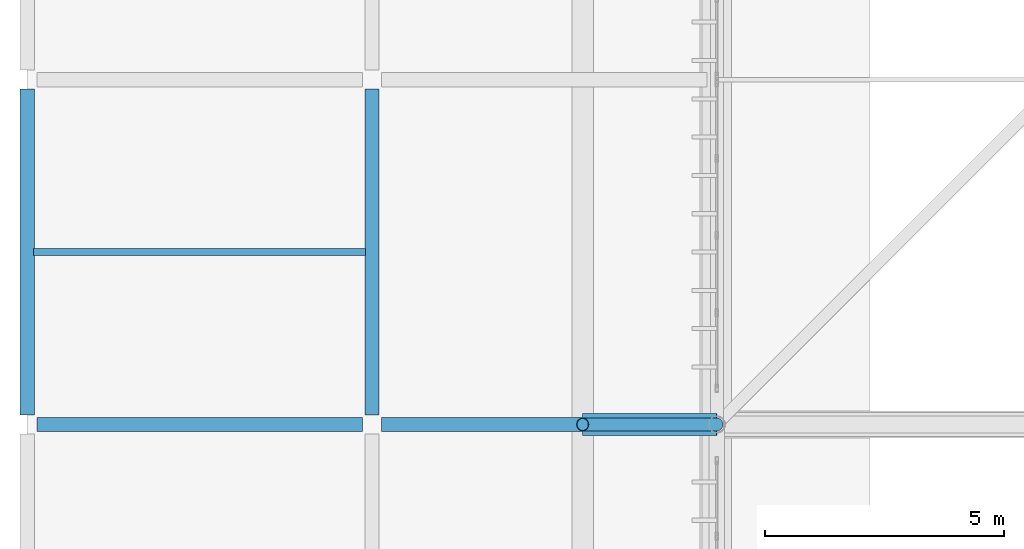
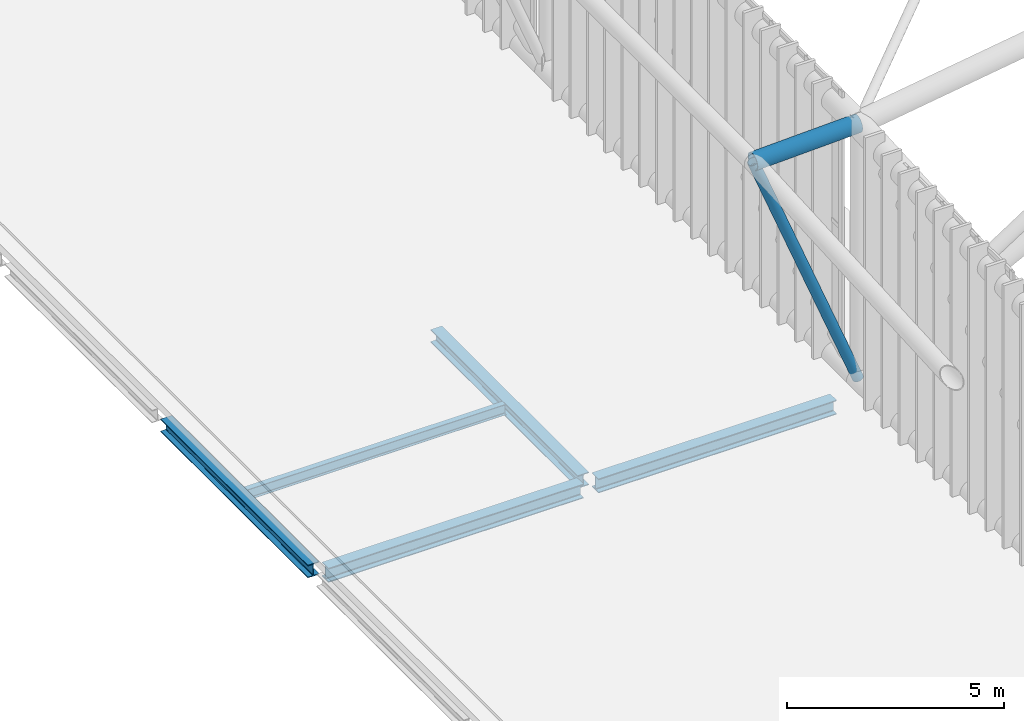
# One storey, part 65 of 397: 6 beams, 1 member.
"""IFC4 building model written with IfcOpenShell, lengths in metres."""

from ifc_helpers import new_model, si_unit, direction, frame, origin, origin_2d, place, context, subcontext, project, spatial, hollow_circle, i_section, extrude, material, material_profile, profile_set, type_object, element, save


model = new_model("IFC4")

# Units and contexts
model_context = context("Model", 3, precision=1e-05, world=origin(), true_north=direction((0.0, 1.0)))
body_context = subcontext(model_context, "Body", "Model", "MODEL_VIEW")
ifc_project = project(units=[si_unit("LENGTHUNIT", "METRE"), si_unit("AREAUNIT", "SQUARE_METRE"), si_unit("VOLUMEUNIT", "CUBIC_METRE"), si_unit("PLANEANGLEUNIT", "RADIAN"), si_unit("MASSUNIT", "GRAM", prefix="KILO")], contexts=[model_context])

# Site, building, storey
site_placement = place(None, origin())
site = spatial("IfcSite", under=ifc_project, at=site_placement, CompositionType="ELEMENT")
building_placement = place(site_placement, origin())
building = spatial("IfcBuilding", under=site, at=building_placement, Name="Qandorah Velis Arena", CompositionType="ELEMENT")
storey_placement = place(building_placement, frame((0.0, 0.0, 27.5)))
storey = spatial("IfcBuildingStorey", under=building, at=storey_placement, Name="RF", CompositionType="ELEMENT", Elevation=27.5)

# Beams
ifc_material = material(Name="Steel S355", Category="steel")
ifc_material_profile_1 = material_profile(ifc_material, i_section(OverallWidth=0.300048828125, OverallDepth=0.360107421875, WebThickness=0.012451171875, FlangeThickness=0.0224609375, FilletRadius=0.027099609375, at=origin_2d()), Name="HEB 360")
ifc_profile_set_1 = profile_set([ifc_material_profile_1], Name="Steel S355")
beam_type_1 = type_object("IfcBeamType", Name="STR-BM-HEB360", PredefinedType="BEAM", material=ifc_profile_set_1)
for number, where, z_axis, x_axis, name in (
    (1, (0.0, 57.800048828125, -0.39990234375), (0.0, 1.0, 0.0), (-1.0, 0.0, 0.0), "Primary floor girder RF Y-068"),
    (2, (7.199951171875, 57.800048828125, -0.39990234375), (0.0, 1.0, 0.0), (-1.0, 0.0, 0.0), "Primary floor girder RF Y-080"),
):
    element("IfcBeam", number, at=place(storey_placement, frame(where, z_axis=z_axis, x_axis=x_axis)), inside=storey, type_object=beam_type_1, Name=name, PredefinedType="BEAM", context=body_context, shape_type="SweptSolid", body=[
        extrude(i_section(OverallWidth=0.300048828125, OverallDepth=0.360107421875, WebThickness=0.012451171875, FlangeThickness=0.0224609375, FilletRadius=0.027099609375, at=origin_2d()), origin(), (0.0, 0.0, 1.0), 6.800048828125),
    ])
ifc_material_profile_2 = material_profile(ifc_material, i_section(OverallWidth=0.300048828125, OverallDepth=0.39990234375, WebThickness=0.013427734375, FlangeThickness=0.02392578125, FilletRadius=0.027099609375, at=origin_2d()), Name="HEB 400")
ifc_profile_set_2 = profile_set([ifc_material_profile_2], Name="Steel S355")
beam_type_2 = type_object("IfcBeamType", Name="STR-BM-HEB400", PredefinedType="BEAM", material=ifc_profile_set_2)
beam_1_placement = place(storey_placement, frame((0.199951171875, 57.60009765625, -0.419921875), z_axis=(1.0, 0.0, 0.0), x_axis=(0.0, 1.0, 0.0)))
element("IfcBeam", 3, at=beam_1_placement, inside=storey, type_object=beam_type_2, Name="Primary floor girder RF X-029", PredefinedType="BEAM", context=body_context, shape_type="SweptSolid", body=[
    extrude(i_section(OverallWidth=0.300048828125, OverallDepth=0.39990234375, WebThickness=0.013427734375, FlangeThickness=0.02392578125, FilletRadius=0.027099609375, at=origin_2d()), origin(), (0.0, 0.0, 1.0), 6.800048828125),
])
beam_2_placement = place(storey_placement, frame((7.39990234375, 57.60009765625, -0.419921875), z_axis=(1.0, 0.0, 0.0), x_axis=(0.0, 1.0, 0.0)))
element("IfcBeam", 4, at=beam_2_placement, inside=storey, type_object=beam_type_2, Name="Primary floor girder RF X-030", PredefinedType="BEAM", context=body_context, shape_type="SweptSolid", body=[
    extrude(i_section(OverallWidth=0.300048828125, OverallDepth=0.39990234375, WebThickness=0.013427734375, FlangeThickness=0.02392578125, FilletRadius=0.027099609375, at=origin_2d()), origin(), (0.0, 0.0, 1.0), 6.35009765625),
])
ifc_material_profile_3 = material_profile(ifc_material, i_section(OverallWidth=0.14990234375, OverallDepth=0.300048828125, WebThickness=0.007080078125, FlangeThickness=0.0107421875, FilletRadius=0.014892578125, at=origin_2d()), Name="IPE 300")
ifc_profile_set_3 = profile_set([ifc_material_profile_3], Name="Steel S355")
beam_type_3 = type_object("IfcBeamType", Name="STR-JST-IPE300", PredefinedType="JOIST", material=ifc_profile_set_3)
beam_3_placement = place(storey_placement, frame((0.135009765625, 61.199951171875, -0.3701171875), z_axis=(1.0, 0.0, 0.0), x_axis=(0.0, 1.0, 0.0)))
element("IfcBeam", 5, at=beam_3_placement, inside=storey, type_object=beam_type_3, Name="Secondary floor joist RF-006", PredefinedType="JOIST", context=body_context, shape_type="SweptSolid", body=[
    extrude(i_section(OverallWidth=0.14990234375, OverallDepth=0.300048828125, WebThickness=0.007080078125, FlangeThickness=0.0107421875, FilletRadius=0.014892578125, at=origin_2d()), origin(), (0.0, 0.0, 1.0), 6.929931640625),
])
ifc_material_profile_4 = material_profile(ifc_material, hollow_circle(Radius=0.228515625, WallThickness=0.01611328125, at=origin_2d()), Name="CHS 457x16")
ifc_profile_set_4 = profile_set([ifc_material_profile_4], Name="Steel S355")
beam_type_4 = type_object("IfcBeamType", Name="STR-SFC-CHS457X16", PredefinedType="USERDEFINED", material=ifc_profile_set_4)
beam_4_placement = place(storey_placement, frame((14.39990234375, 57.60009765625, 7.2705078125), z_axis=(-0.999364629289, 0.0, -0.035641797469), x_axis=(0.0, -1.0, 0.0)))
element("IfcBeam", 6, at=beam_4_placement, inside=storey, type_object=beam_type_4, Name="Space frame eave outrigger W-3", ObjectType="ROOF TRUSS", PredefinedType="USERDEFINED", context=body_context, shape_type="SweptSolid", body=[
    extrude(hollow_circle(Radius=0.228515625, WallThickness=0.01611328125, at=origin_2d()), origin(), (0.0, 0.0, 1.0), 2.801513671875),
])

# Member
ifc_material_profile_5 = material_profile(ifc_material, hollow_circle(Radius=0.136474609375, WallThickness=0.012451171875, at=origin_2d()), Name="CHS 273x12.5")
ifc_profile_set_5 = profile_set([ifc_material_profile_5], Name="Steel S355")
member_type = type_object("IfcMemberType", Name="STR-SFD-CHS273X12", PredefinedType="STRUT", material=ifc_profile_set_5)
member_placement = place(storey_placement, frame((14.39990234375, 57.60009765625, 0.10009765625), z_axis=(-0.36816698532, 0.0, 0.9297596845), x_axis=(0.0, -1.0, 0.0)))
element("IfcMember", 7, at=member_placement, inside=storey, type_object=member_type, Name="Space frame eave raking strut W-3", PredefinedType="STRUT", context=body_context, shape_type="SweptSolid", body=[
    extrude(hollow_circle(Radius=0.136474609375, WallThickness=0.012451171875, at=origin_2d()), origin(), (0.0, 0.0, 1.0), 7.604736328125),
])

save(model, "model.ifc")
